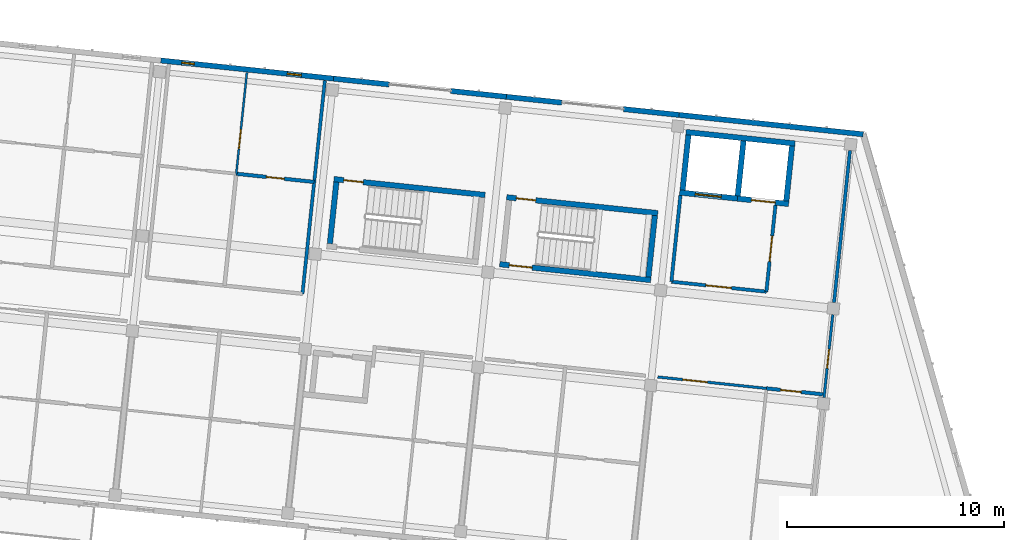
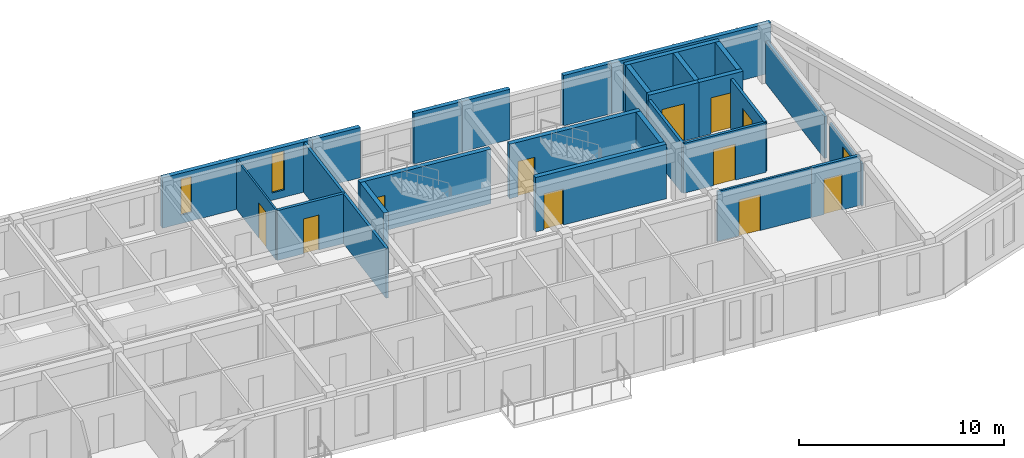
# One storey, part 39 of 68: 27 walls, 12 doors, 2 windows, 14 openings.
"""IFC4 building model written with IfcOpenShell, lengths in metres."""

from ifc_helpers import new_model, si_unit, direction, frame, frame_2d, origin, place, context, subcontext, project, spatial, rectangle, extrude, material, layer, layer_set, type_object, element, fill, save


model = new_model("IFC4")

# Units and contexts
model_context = context("Model", 3, precision=1e-05, world=origin(), true_north=direction((0.0, 1.0)))
body_context = subcontext(model_context, "Body", "Model", "MODEL_VIEW")
ifc_project = project(units=[si_unit("LENGTHUNIT", "METRE"), si_unit("AREAUNIT", "SQUARE_METRE"), si_unit("VOLUMEUNIT", "CUBIC_METRE"), si_unit("PLANEANGLEUNIT", "RADIAN"), si_unit("MASSUNIT", "GRAM", prefix="KILO")], contexts=[model_context])

# Site, building, storey
site_placement = place(None, origin())
site = spatial("IfcSite", under=ifc_project, at=site_placement, CompositionType="ELEMENT")
building_placement = place(site_placement, origin())
building = spatial("IfcBuilding", under=site, at=building_placement, Name="Kestramere Prow Commons", CompositionType="ELEMENT")
storey_placement = place(building_placement, frame((0.0, 0.0, 18.14990234375)))
storey = spatial("IfcBuildingStorey", under=building, at=storey_placement, Name="L05", CompositionType="ELEMENT", Elevation=18.14990234375)

# Wall, openings, windows
ifc_material_1 = material(Name="Fluoropolymer Standing-Seam Zinc-Aluminium Cladding", Category="aluminium")
ifc_layer_1 = layer(ifc_material_1, 0.239990234375)
ifc_layer_set_1 = layer_set([ifc_layer_1], Name="Fluoropolymer Standing-Seam Zinc-Aluminium Cladding")
wall_type_1 = type_object("IfcWallType", Name="EW-SEAM-240", PredefinedType="SOLIDWALL", material=ifc_layer_set_1)
wall_1_placement = place(storey_placement, frame((128.015869140625, 113.142333984375, 0.0), z_axis=(0.0, 0.0, 1.0), x_axis=(0.994522662826, -0.104521161134, 0.0)))
wall_1 = element("IfcWall", 1, at=wall_1_placement, inside=storey, type_object=wall_type_1, Name="Block B L05 North Standing-Seam Wall 3", PredefinedType="SOLIDWALL", context=body_context, shape_type="SweptSolid", body=[
    extrude(rectangle(XDim=8.0, YDim=0.239990234375, at=frame_2d((4.0, 0.0))), origin(), (0.0, 0.0, 1.0), 3.0),
])
opening_1_placement = place(wall_1_placement, frame((0.971923828125, 0.0, 0.5)))
opening_1 = element("IfcOpeningElement", 2, at=opening_1_placement, cuts=wall_1, Name="Opening WN-01", PredefinedType="OPENING", context=body_context, shape_type="SweptSolid", body=[
    extrude(rectangle(XDim=0.580078125, YDim=2.159912109375, at=frame_2d((0.2900390625, 1.080078125))), frame((0.0, 0.135009765625, 0.0), z_axis=(0.0, -1.0, 0.0), x_axis=(1.0, 0.0, 0.0)), (0.0, 0.0, 1.0), 0.27001953125),
])
opening_2_placement = place(wall_1_placement, frame((5.85009765625, 0.0, 0.43994140625)))
opening_2 = element("IfcOpeningElement", 3, at=opening_2_placement, cuts=wall_1, Name="Opening WN-05", PredefinedType="OPENING", context=body_context, shape_type="SweptSolid", body=[
    extrude(rectangle(XDim=0.659912109375, YDim=2.320068359375, at=frame_2d((0.330078125, 1.16015625))), frame((0.0, 0.135009765625, 0.0), z_axis=(0.0, -1.0, 0.0), x_axis=(1.0, 0.0, 0.0)), (0.0, 0.0, 1.0), 0.27001953125),
])
ifc_material_2 = material(Name="Low-E Laminated Double Glazing", Category="glass")
window_type_1 = type_object("IfcWindowType", Name="WN-NAR-580A", PartitioningType="SINGLE_PANEL", PredefinedType="WINDOW", material=ifc_material_2)
window_1_placement = place(opening_1_placement, origin())
window_1 = element("IfcWindow", 4, at=window_1_placement, inside=storey, type_object=window_type_1, Name="WN-B-L05-N-2-0", OverallHeight=2.159912109375, OverallWidth=0.580078125, PartitioningType="SINGLE_PANEL", PredefinedType="WINDOW", context=body_context, shape_type="SweptSolid", body=[
    extrude(rectangle(XDim=0.580078125, YDim=2.159912109375, at=frame_2d((0.2900390625, 1.080078125))), frame((0.0, 0.030029296875, 0.0), z_axis=(0.0, -1.0, 0.0), x_axis=(1.0, 0.0, 0.0)), (0.0, 0.0, 1.0), 0.06005859375),
])
fill(opening_1, window_1)
window_type_2 = type_object("IfcWindowType", Name="WN-NAR-660A", PartitioningType="SINGLE_PANEL", PredefinedType="WINDOW", material=ifc_material_2)
window_2_placement = place(opening_2_placement, origin())
window_2 = element("IfcWindow", 5, at=window_2_placement, inside=storey, type_object=window_type_2, Name="WN-B-L05-N-2-1", OverallHeight=2.320068359375, OverallWidth=0.659912109375, PartitioningType="SINGLE_PANEL", PredefinedType="WINDOW", context=body_context, shape_type="SweptSolid", body=[
    extrude(rectangle(XDim=0.659912109375, YDim=2.320068359375, at=frame_2d((0.330078125, 1.16015625))), frame((0.0, 0.030029296875, 0.0), z_axis=(0.0, -1.0, 0.0), x_axis=(1.0, 0.0, 0.0)), (0.0, 0.0, 1.0), 0.06005859375),
])
fill(opening_2, window_2)

# Walls
for number, where, z_axis, x_axis, name in (
    (6, (135.97216796875, 112.30615234375, 0.0), (0.0, 0.0, 1.0), (0.99451635776, -0.104581136677, 0.0), "Block B L05 North Standing-Seam Pier 4L"),
    (7, (141.367431640625, 111.739013671875, 0.0), (0.0, 0.0, 1.0), (0.99451635776, -0.104581136677, 0.0), "Block B L05 North Standing-Seam Pier 4R"),
):
    element("IfcWall", number, at=place(storey_placement, frame(where, z_axis=z_axis, x_axis=x_axis)), inside=storey, type_object=wall_type_1, Name=name, PredefinedType="SOLIDWALL", context=body_context, shape_type="SweptSolid", body=[
        extrude(rectangle(XDim=2.574951171875, YDim=0.239990234375, at=frame_2d((1.28759765625, 0.0))), origin(), (0.0, 0.0, 1.0), 3.0),
    ])
wall_2_placement = place(storey_placement, frame((143.92822265625, 111.4697265625, 0.0), z_axis=(0.0, 0.0, 1.0), x_axis=(0.994527249958, -0.104477505191, 0.0)))
element("IfcWall", 8, at=wall_2_placement, inside=storey, type_object=wall_type_1, Name="Block B L05 North Standing-Seam Pier 5L", PredefinedType="SOLIDWALL", context=body_context, shape_type="SweptSolid", body=[
    extrude(rectangle(XDim=2.5751953125, YDim=0.239990234375, at=frame_2d((1.28759765625, 0.0))), origin(), (0.0, 0.0, 1.0), 3.0),
])
wall_3_placement = place(storey_placement, frame((149.32373046875, 110.90283203125, 0.0), z_axis=(0.0, 0.0, 1.0), x_axis=(0.99451635776, -0.104581136677, 0.0)))
element("IfcWall", 9, at=wall_3_placement, inside=storey, type_object=wall_type_1, Name="Block B L05 North Standing-Seam Pier 5R", PredefinedType="SOLIDWALL", context=body_context, shape_type="SweptSolid", body=[
    extrude(rectangle(XDim=2.574951171875, YDim=0.239990234375, at=frame_2d((1.28759765625, 0.0))), origin(), (0.0, 0.0, 1.0), 3.0),
])
wall_4_placement = place(storey_placement, frame((151.884521484375, 110.633544921875, 0.0), z_axis=(0.0, 0.0, 1.0), x_axis=(0.994521760736, -0.104529744196, 0.0)))
element("IfcWall", 10, at=wall_4_placement, inside=storey, type_object=wall_type_1, Name="Block B L05 North Standing-Seam Wall 6", PredefinedType="SOLIDWALL", context=body_context, shape_type="SweptSolid", body=[
    extrude(rectangle(XDim=8.52490234375, YDim=0.239990234375, at=frame_2d((4.262451171875, 0.0))), origin(), (0.0, 0.0, 1.0), 3.0),
])
ifc_material_3 = material(Name="Concrete C40/50", Category="concrete")
ifc_layer_2 = layer(ifc_material_3, 0.25)
ifc_layer_set_2 = layer_set([ifc_layer_2], Name="Concrete C40/50")
wall_type_2 = type_object("IfcWallType", Name="W-CORE-250", PredefinedType="SHEAR", material=ifc_layer_set_2)
wall_5_placement = place(storey_placement, frame((152.203857421875, 109.845947265625, 0.0), z_axis=(0.0, 0.0, 1.0), x_axis=(0.994522922189, -0.104518693261, 0.0)))
element("IfcWall", 11, at=wall_5_placement, inside=storey, type_object=wall_type_2, Name="Block B L05 Lift Core Back Wall", PredefinedType="SHEAR", context=body_context, shape_type="SweptSolid", body=[
    extrude(rectangle(XDim=5.050048828125, YDim=0.25, at=frame_2d((2.52490234375, 0.0))), origin(), (0.0, 0.0, 1.0), 3.25),
])

# Wall, opening, door
wall_6_placement = place(storey_placement, frame((151.9111328125, 107.061279296875, 0.0), z_axis=(0.0, 0.0, 1.0), x_axis=(0.994524939068, -0.104499500343, 0.0)))
wall_6 = element("IfcWall", 12, at=wall_6_placement, inside=storey, type_object=wall_type_2, Name="Block B L05 Fire Lift Shaft Front Wall", PredefinedType="SHEAR", context=body_context, shape_type="SweptSolid", body=[
    extrude(rectangle(XDim=2.675048828125, YDim=0.25, at=frame_2d((1.33740234375, 0.0))), origin(), (0.0, 0.0, 1.0), 3.25),
])
opening_3_placement = place(wall_6_placement, frame((0.719970703125, 0.0, 0.0)))
opening_3 = element("IfcOpeningElement", 13, at=opening_3_placement, cuts=wall_6, Name="Opening LD-02", PredefinedType="OPENING", context=body_context, shape_type="SweptSolid", body=[
    extrude(rectangle(XDim=1.199951171875, YDim=2.199951171875, at=frame_2d((0.60009765625, 1.10009765625))), frame((0.0, 0.139892578125, 0.0), z_axis=(0.0, -1.0, 0.0), x_axis=(1.0, 0.0, 0.0)), (0.0, 0.0, 1.0), 0.280029296875),
])
ifc_material_4 = material(Name="Brushed Stainless Steel 316", Category="steel")
door_type_1 = type_object("IfcDoorType", Name="LD-02", OperationType="DOUBLE_DOOR_SLIDING", PredefinedType="DOOR", material=ifc_material_4)
door_1_placement = place(opening_3_placement, origin())
door_1 = element("IfcDoor", 14, at=door_1_placement, inside=storey, type_object=door_type_1, Name="FL-B1 L05 Lift Landing Door", OperationType="DOUBLE_DOOR_SLIDING", OverallHeight=2.199951171875, OverallWidth=1.199951171875, PredefinedType="DOOR", context=body_context, shape_type="SweptSolid", body=[
    extrude(rectangle(XDim=1.199951171875, YDim=2.199951171875, at=frame_2d((0.60009765625, 1.10009765625))), frame((0.0, 0.02490234375, 0.0), z_axis=(0.0, -1.0, 0.0), x_axis=(1.0, 0.0, 0.0)), (0.0, 0.0, 1.0), 0.050048828125),
])
fill(opening_3, door_1)

wall_7_placement = place(storey_placement, frame((154.571533203125, 106.78173828125, 0.0), z_axis=(0.0, 0.0, 1.0), x_axis=(0.994520650134, -0.1045403102, 0.0)))
wall_7 = element("IfcWall", 15, at=wall_7_placement, inside=storey, type_object=wall_type_2, Name="Block B L05 Passenger Lift Shaft Front Wall", PredefinedType="SHEAR", context=body_context, shape_type="SweptSolid", body=[
    extrude(rectangle(XDim=2.375, YDim=0.25, at=frame_2d((1.1875, 0.0))), origin(), (0.0, 0.0, 1.0), 3.25),
])
opening_4_placement = place(wall_7_placement, frame((0.64990234375, 0.0, 0.0)))
opening_4 = element("IfcOpeningElement", 16, at=opening_4_placement, cuts=wall_7, Name="Opening LD-01", PredefinedType="OPENING", context=body_context, shape_type="SweptSolid", body=[
    extrude(rectangle(XDim=1.10009765625, YDim=2.14990234375, at=frame_2d((0.550048828125, 1.074951171875))), frame((0.0, 0.139892578125, 0.0), z_axis=(0.0, -1.0, 0.0), x_axis=(1.0, 0.0, 0.0)), (0.0, 0.0, 1.0), 0.280029296875),
])
ifc_material_5 = material(Name="Brushed Stainless Steel 304", Category="steel")
door_type_2 = type_object("IfcDoorType", Name="LD-01", OperationType="DOUBLE_DOOR_SLIDING", PredefinedType="DOOR", material=ifc_material_5)
door_2_placement = place(opening_4_placement, origin())
door_2 = element("IfcDoor", 17, at=door_2_placement, inside=storey, type_object=door_type_2, Name="PL-B2 L05 Lift Landing Door", OperationType="DOUBLE_DOOR_SLIDING", OverallHeight=2.14990234375, OverallWidth=1.10009765625, PredefinedType="DOOR", context=body_context, shape_type="SweptSolid", body=[
    extrude(rectangle(XDim=1.10009765625, YDim=2.14990234375, at=frame_2d((0.550048828125, 1.074951171875))), frame((0.0, 0.02490234375, 0.0), z_axis=(0.0, -1.0, 0.0), x_axis=(1.0, 0.0, 0.0)), (0.0, 0.0, 1.0), 0.050048828125),
])
fill(opening_4, door_2)

# Walls
for number, where, z_axis, x_axis, name in (
    (18, (152.048583984375, 107.172607421875, 0.0), (0.0, 0.0, 1.0), (0.104555197931, 0.994519085079, 0.0), "Block B L05 Lift Core Side Wall L"),
    (19, (154.584716796875, 106.906005859375, 0.0), (0.0, 0.0, 1.0), (0.104555197931, 0.994519085079, 0.0), "Block B L05 Lift Core Side Wall M"),
):
    element("IfcWall", number, at=place(storey_placement, frame(where, z_axis=z_axis, x_axis=x_axis)), inside=storey, type_object=wall_type_2, Name=name, PredefinedType="SHEAR", context=body_context, shape_type="SweptSolid", body=[
        extrude(rectangle(XDim=2.5498046875, YDim=0.25, at=frame_2d((1.27490234375, 0.0))), origin(), (0.0, 0.0, 1.0), 3.25),
    ])
wall_8_placement = place(storey_placement, frame((156.822265625, 106.670654296875, 0.0), z_axis=(0.0, 0.0, 1.0), x_axis=(0.104545242946, 0.99452013161, 0.0)))
element("IfcWall", 20, at=wall_8_placement, inside=storey, type_object=wall_type_2, Name="Block B L05 Lift Core Side Wall R", PredefinedType="SHEAR", context=body_context, shape_type="SweptSolid", body=[
    extrude(rectangle(XDim=2.550048828125, YDim=0.25, at=frame_2d((1.27490234375, 0.0))), origin(), (0.0, 0.0, 1.0), 3.25),
])

# Wall, opening, door
wall_9_placement = place(storey_placement, frame((135.988525390625, 107.678955078125, 0.0), z_axis=(0.0, 0.0, 1.0), x_axis=(0.994522066748, -0.104526832686, 0.0)))
wall_9 = element("IfcWall", 21, at=wall_9_placement, inside=storey, type_object=wall_type_2, Name="ST-B1 L05 North Shaft Wall", PredefinedType="SHEAR", context=body_context, shape_type="SweptSolid", body=[
    extrude(rectangle(XDim=7.0, YDim=0.25, at=frame_2d((3.5, 0.0))), origin(), (0.0, 0.0, 1.0), 3.25),
])
opening_5_placement = place(wall_9_placement, frame((0.449951171875, 0.0, 0.0)))
opening_5 = element("IfcOpeningElement", 22, at=opening_5_placement, cuts=wall_9, Name="Opening ID-08", PredefinedType="OPENING", context=body_context, shape_type="SweptSolid", body=[
    extrude(rectangle(XDim=0.89990234375, YDim=2.10009765625, at=frame_2d((0.449951171875, 1.050048828125))), frame((0.0, 0.139892578125, 0.0), z_axis=(0.0, -1.0, 0.0), x_axis=(1.0, 0.0, 0.0)), (0.0, 0.0, 1.0), 0.280029296875),
])
ifc_material_6 = material(Name="Engineered Timber Flush Door", Category="wood")
door_type_3 = type_object("IfcDoorType", Name="D-RM-01", OperationType="NOTDEFINED", PredefinedType="DOOR", material=ifc_material_6)
door_3_placement = place(opening_5_placement, origin())
door_3 = element("IfcDoor", 23, at=door_3_placement, inside=storey, type_object=door_type_3, Name="ST-B1 L05 North Room Door", OperationType="SINGLE_SWING_RIGHT", OverallHeight=2.10009765625, OverallWidth=0.89990234375, PredefinedType="DOOR", context=body_context, shape_type="SweptSolid", body=[
    extrude(rectangle(XDim=0.89990234375, YDim=2.10009765625, at=frame_2d((0.449951171875, 1.050048828125))), frame((0.0, 0.02490234375, 0.0), z_axis=(0.0, -1.0, 0.0), x_axis=(1.0, 0.0, 0.0)), (0.0, 0.0, 1.0), 0.050048828125),
])
fill(opening_5, door_3)

# Wall
wall_10_placement = place(storey_placement, frame((135.802001953125, 104.707275390625, 0.0), z_axis=(0.0, 0.0, 1.0), x_axis=(0.104515324063, 0.994523276267, 0.0)))
element("IfcWall", 24, at=wall_10_placement, inside=storey, type_object=wall_type_2, Name="ST-B1 L05 Near Shaft Wall", PredefinedType="SHEAR", context=body_context, shape_type="SweptSolid", body=[
    extrude(rectangle(XDim=2.849853515625, YDim=0.25, at=frame_2d((1.4248046875, 0.0))), origin(), (0.0, 0.0, 1.0), 3.25),
])

# Wall, opening, door
wall_11_placement = place(storey_placement, frame((143.94482421875, 106.8427734375, 0.0), z_axis=(0.0, 0.0, 1.0), x_axis=(0.994522066748, -0.104526832686, 0.0)))
wall_11 = element("IfcWall", 25, at=wall_11_placement, inside=storey, type_object=wall_type_2, Name="ST-B2 L05 North Shaft Wall", PredefinedType="SHEAR", context=body_context, shape_type="SweptSolid", body=[
    extrude(rectangle(XDim=7.0, YDim=0.25, at=frame_2d((3.5, 0.0))), origin(), (0.0, 0.0, 1.0), 3.25),
])
opening_6_placement = place(wall_11_placement, frame((0.449951171875, 0.0, 0.0)))
opening_6 = element("IfcOpeningElement", 26, at=opening_6_placement, cuts=wall_11, Name="Opening ID-08", PredefinedType="OPENING", context=body_context, shape_type="SweptSolid", body=[
    extrude(rectangle(XDim=0.89990234375, YDim=2.10009765625, at=frame_2d((0.449951171875, 1.050048828125))), frame((0.0, 0.139892578125, 0.0), z_axis=(0.0, -1.0, 0.0), x_axis=(1.0, 0.0, 0.0)), (0.0, 0.0, 1.0), 0.280029296875),
])
door_4_placement = place(opening_6_placement, origin())
door_4 = element("IfcDoor", 27, at=door_4_placement, inside=storey, type_object=door_type_3, Name="ST-B2 L05 North Room Door", OperationType="SINGLE_SWING_RIGHT", OverallHeight=2.10009765625, OverallWidth=0.89990234375, PredefinedType="DOOR", context=body_context, shape_type="SweptSolid", body=[
    extrude(rectangle(XDim=0.89990234375, YDim=2.10009765625, at=frame_2d((0.449951171875, 1.050048828125))), frame((0.0, 0.02490234375, 0.0), z_axis=(0.0, -1.0, 0.0), x_axis=(1.0, 0.0, 0.0)), (0.0, 0.0, 1.0), 0.050048828125),
])
fill(opening_6, door_4)

wall_12_placement = place(storey_placement, frame((143.62060546875, 103.759765625, 0.0), z_axis=(0.0, 0.0, 1.0), x_axis=(0.994522066748, -0.104526832686, 0.0)))
wall_12 = element("IfcWall", 28, at=wall_12_placement, inside=storey, type_object=wall_type_2, Name="ST-B2 L05 Corridor Shaft Wall", PredefinedType="SHEAR", context=body_context, shape_type="SweptSolid", body=[
    extrude(rectangle(XDim=7.0, YDim=0.25, at=frame_2d((3.5, 0.0))), origin(), (0.0, 0.0, 1.0), 3.25),
])
opening_7_placement = place(wall_12_placement, frame((0.449951171875, 0.0, 0.0)))
opening_7 = element("IfcOpeningElement", 29, at=opening_7_placement, cuts=wall_12, Name="Opening ID-01", PredefinedType="OPENING", context=body_context, shape_type="SweptSolid", body=[
    extrude(rectangle(XDim=1.050048828125, YDim=2.14990234375, at=frame_2d((0.52490234375, 1.074951171875))), frame((0.0, 0.139892578125, 0.0), z_axis=(0.0, -1.0, 0.0), x_axis=(1.0, 0.0, 0.0)), (0.0, 0.0, 1.0), 0.280029296875),
])
ifc_material_7 = material(Name="Fire-Rated Timber and Steel Frame", Category="steel")
door_type_4 = type_object("IfcDoorType", Name="FD-ST-01", OperationType="NOTDEFINED", PredefinedType="DOOR", material=ifc_material_7)
door_5_placement = place(opening_7_placement, origin())
door_5 = element("IfcDoor", 30, at=door_5_placement, inside=storey, type_object=door_type_4, Name="ST-B2 L05 Protected Stair Door", OperationType="SINGLE_SWING_RIGHT", OverallHeight=2.14990234375, OverallWidth=1.050048828125, PredefinedType="DOOR", context=body_context, shape_type="SweptSolid", body=[
    extrude(rectangle(XDim=1.050048828125, YDim=2.14990234375, at=frame_2d((0.52490234375, 1.074951171875))), frame((0.0, 0.02490234375, 0.0), z_axis=(0.0, -1.0, 0.0), x_axis=(1.0, 0.0, 0.0)), (0.0, 0.0, 1.0), 0.050048828125),
])
fill(opening_7, door_5)

# Wall
wall_13_placement = place(storey_placement, frame((150.47119140625, 103.16552734375, 0.0), z_axis=(0.0, 0.0, 1.0), x_axis=(0.104515324063, 0.994523276267, 0.0)))
element("IfcWall", 31, at=wall_13_placement, inside=storey, type_object=wall_type_2, Name="ST-B2 L05 Far Shaft Wall", PredefinedType="SHEAR", context=body_context, shape_type="SweptSolid", body=[
    extrude(rectangle(XDim=2.849853515625, YDim=0.25, at=frame_2d((1.4248046875, 0.0))), origin(), (0.0, 0.0, 1.0), 3.25),
])

# Wall, opening, door
ifc_material_8 = material(Name="Fire-Rated Calcium Silicate Wall")
ifc_layer_3 = layer(ifc_material_8, 0.155029296875)
ifc_layer_set_3 = layer_set([ifc_layer_3], Name="Fire-Rated Calcium Silicate Wall")
wall_type_3 = type_object("IfcWallType", Name="W-FIRE-150", PredefinedType="PARTITIONING", material=ifc_layer_set_3)
wall_14_placement = place(storey_placement, frame((151.52978515625, 102.95361328125, 0.0), z_axis=(0.0, 0.0, 1.0), x_axis=(0.994521251134, -0.104534592565, 0.0)))
wall_14 = element("IfcWall", 32, at=wall_14_placement, inside=storey, type_object=wall_type_3, Name="Interior Partition PW-B-L05-FFL-S", PredefinedType="PARTITIONING", context=body_context, shape_type="SweptSolid", body=[
    extrude(rectangle(XDim=4.400146484375, YDim=0.155029296875, at=frame_2d((2.2001953125, 0.0))), origin(), (0.0, 0.0, 1.0), 2.97021484375),
])
opening_8_placement = place(wall_14_placement, frame((1.60009765625, 0.0, 0.0)))
opening_8 = element("IfcOpeningElement", 33, at=opening_8_placement, cuts=wall_14, Name="Opening ID-03", PredefinedType="OPENING", context=body_context, shape_type="SweptSolid", body=[
    extrude(rectangle(XDim=1.179931640625, YDim=2.14990234375, at=frame_2d((0.58984375, 1.074951171875))), frame((0.0, 0.092529296875, 0.0), z_axis=(0.0, -1.0, 0.0), x_axis=(1.0, 0.0, 0.0)), (0.0, 0.0, 1.0), 0.18505859375),
])
ifc_material_9 = material(Name="Fire-Rated Glazed Smoke-Stop Door")
door_type_5 = type_object("IfcDoorType", Name="FD-LB-01", OperationType="NOTDEFINED", PredefinedType="DOOR", material=ifc_material_9)
door_6_placement = place(opening_8_placement, origin())
door_6 = element("IfcDoor", 34, at=door_6_placement, inside=storey, type_object=door_type_5, Name="Interior Door DR-B-L05-FFL", OperationType="SINGLE_SWING_RIGHT", OverallHeight=2.14990234375, OverallWidth=1.179931640625, PredefinedType="DOOR", context=body_context, shape_type="SweptSolid", body=[
    extrude(rectangle(XDim=1.179931640625, YDim=2.14990234375, at=frame_2d((0.58984375, 1.074951171875))), frame((0.0, 0.02490234375, 0.0), z_axis=(0.0, -1.0, 0.0), x_axis=(1.0, 0.0, 0.0)), (0.0, 0.0, 1.0), 0.050048828125),
])
fill(opening_8, door_6)

# Wall
wall_15_placement = place(storey_placement, frame((151.52978515625, 102.95361328125, 0.0), z_axis=(0.0, 0.0, 1.0), x_axis=(0.104554517933, 0.994519156568, 0.0)))
element("IfcWall", 35, at=wall_15_placement, inside=storey, type_object=wall_type_3, Name="Interior Partition PW-B-L05-FFL-W", PredefinedType="PARTITIONING", context=body_context, shape_type="SweptSolid", body=[
    extrude(rectangle(XDim=4.0, YDim=0.155029296875, at=frame_2d((2.0, 0.0))), origin(), (0.0, 0.0, 1.0), 2.97021484375),
])

# Wall, opening, door
wall_16_placement = place(storey_placement, frame((155.90576171875, 102.49365234375, 0.0), z_axis=(0.0, 0.0, 1.0), x_axis=(0.104494148666, 0.99452550138, 0.0)))
wall_16 = element("IfcWall", 36, at=wall_16_placement, inside=storey, type_object=wall_type_3, Name="Interior Partition PW-B-L05-FFL-E", PredefinedType="PARTITIONING", context=body_context, shape_type="SweptSolid", body=[
    extrude(rectangle(XDim=4.0, YDim=0.155029296875, at=frame_2d((2.0, 0.0))), origin(), (0.0, 0.0, 1.0), 2.97021484375),
])
opening_9_placement = place(wall_16_placement, frame((1.39990234375, 0.0, 0.0)))
opening_9 = element("IfcOpeningElement", 37, at=opening_9_placement, cuts=wall_16, Name="Opening ID-03", PredefinedType="OPENING", context=body_context, shape_type="SweptSolid", body=[
    extrude(rectangle(XDim=1.179931640625, YDim=2.14990234375, at=frame_2d((0.58984375, 1.074951171875))), frame((0.0, 0.092529296875, 0.0), z_axis=(0.0, -1.0, 0.0), x_axis=(1.0, 0.0, 0.0)), (0.0, 0.0, 1.0), 0.18505859375),
])
door_7_placement = place(opening_9_placement, origin())
door_7 = element("IfcDoor", 38, at=door_7_placement, inside=storey, type_object=door_type_5, Name="Interior Door DR-B-L05-FFL-PL", OperationType="SINGLE_SWING_LEFT", OverallHeight=2.14990234375, OverallWidth=1.179931640625, PredefinedType="DOOR", context=body_context, shape_type="SweptSolid", body=[
    extrude(rectangle(XDim=1.179931640625, YDim=2.14990234375, at=frame_2d((0.58984375, 1.074951171875))), frame((0.0, 0.02490234375, 0.0), z_axis=(0.0, -1.0, 0.0), x_axis=(1.0, 0.0, 0.0)), (0.0, 0.0, 1.0), 0.050048828125),
])
fill(opening_9, door_7)

ifc_material_10 = material(Name="Lightweight Blockwork and Plaster", Category="masonry")
ifc_layer_4 = layer(ifc_material_10, 0.1201171875)
ifc_layer_set_4 = layer_set([ifc_layer_4], Name="Lightweight Blockwork and Plaster")
wall_type_4 = type_object("IfcWallType", Name="W-PART-120", PredefinedType="PARTITIONING", material=ifc_layer_set_4)
wall_17_placement = place(storey_placement, frame((158.561279296875, 97.62451171875, 0.0), z_axis=(0.0, 0.0, 1.0), x_axis=(0.104545412893, 0.994520113745, 0.0)))
wall_17 = element("IfcWall", 39, at=wall_17_placement, inside=storey, type_object=wall_type_4, Name="Interior Partition PW-B-L05-PROW-ACC", PredefinedType="PARTITIONING", context=body_context, shape_type="SweptSolid", body=[
    extrude(rectangle(XDim=3.829833984375, YDim=0.1201171875, at=frame_2d((1.9150390625, 0.0))), origin(), (0.0, 0.0, 1.0), 2.5),
])
opening_10_placement = place(wall_17_placement, frame((1.35009765625, 0.0, 0.0)))
opening_10 = element("IfcOpeningElement", 40, at=opening_10_placement, cuts=wall_17, Name="Opening ID-10", PredefinedType="OPENING", context=body_context, shape_type="SweptSolid", body=[
    extrude(rectangle(XDim=0.8798828125, YDim=2.10009765625, at=frame_2d((0.43994140625, 1.050048828125))), frame((0.0, 0.074951171875, 0.0), z_axis=(0.0, -1.0, 0.0), x_axis=(1.0, 0.0, 0.0)), (0.0, 0.0, 1.0), 0.150146484375),
])
ifc_material_11 = material(Name="Engineered Timber Bedroom Door", Category="wood")
door_type_6 = type_object("IfcDoorType", Name="D-RM-03", OperationType="NOTDEFINED", PredefinedType="DOOR", material=ifc_material_11)
door_8_placement = place(opening_10_placement, origin())
door_8 = element("IfcDoor", 41, at=door_8_placement, inside=storey, type_object=door_type_6, Name="Interior Door DR-B-L05-PROW", OperationType="SINGLE_SWING_LEFT", OverallHeight=2.10009765625, OverallWidth=0.8798828125, PredefinedType="DOOR", context=body_context, shape_type="SweptSolid", body=[
    extrude(rectangle(XDim=0.8798828125, YDim=2.10009765625, at=frame_2d((0.43994140625, 1.050048828125))), frame((0.0, 0.02490234375, 0.0), z_axis=(0.0, -1.0, 0.0), x_axis=(1.0, 0.0, 0.0)), (0.0, 0.0, 1.0), 0.050048828125),
])
fill(opening_10, door_8)

wall_18_placement = place(storey_placement, frame((150.902587890625, 98.565185546875, 0.0), z_axis=(0.0, 0.0, 1.0), x_axis=(0.994520851776, -0.104538391908, 0.0)))
wall_18 = element("IfcWall", 42, at=wall_18_placement, inside=storey, type_object=wall_type_4, Name="Interior Partition PW-B-L05-CS-5A", PredefinedType="PARTITIONING", context=body_context, shape_type="SweptSolid", body=[
    extrude(rectangle(XDim=5.03515625, YDim=0.1201171875, at=frame_2d((2.517578125, 0.0))), origin(), (0.0, 0.0, 1.0), 2.97021484375),
])
opening_11_placement = place(wall_18_placement, frame((1.14990234375, 0.0, 0.0)))
opening_11 = element("IfcOpeningElement", 43, at=opening_11_placement, cuts=wall_18, Name="Opening ID-09", PredefinedType="OPENING", context=body_context, shape_type="SweptSolid", body=[
    extrude(rectangle(XDim=1.14990234375, YDim=2.14990234375, at=frame_2d((0.574951171875, 1.074951171875))), frame((0.0, 0.074951171875, 0.0), z_axis=(0.0, -1.0, 0.0), x_axis=(1.0, 0.0, 0.0)), (0.0, 0.0, 1.0), 0.150146484375),
])
ifc_material_12 = material(Name="Engineered Timber Acoustic Door", Category="wood")
door_type_7 = type_object("IfcDoorType", Name="D-RM-02", OperationType="NOTDEFINED", PredefinedType="DOOR", material=ifc_material_12)
door_9_placement = place(opening_11_placement, origin())
door_9 = element("IfcDoor", 44, at=door_9_placement, inside=storey, type_object=door_type_7, Name="Interior Door DR-B-L05-SKY-5", OperationType="SINGLE_SWING_LEFT", OverallHeight=2.14990234375, OverallWidth=1.14990234375, PredefinedType="DOOR", context=body_context, shape_type="SweptSolid", body=[
    extrude(rectangle(XDim=1.14990234375, YDim=2.14990234375, at=frame_2d((0.574951171875, 1.074951171875))), frame((0.0, 0.02490234375, 0.0), z_axis=(0.0, -1.0, 0.0), x_axis=(1.0, 0.0, 0.0)), (0.0, 0.0, 1.0), 0.050048828125),
])
fill(opening_11, door_9)

# Walls
ifc_material_13 = material(Name="Masonry Compartment Wall", Category="masonry")
ifc_layer_5 = layer(ifc_material_13, 0.14990234375)
ifc_layer_set_5 = layer_set([ifc_layer_5], Name="Masonry Compartment Wall")
wall_type_5 = type_object("IfcWallType", Name="W-PART-150", PredefinedType="PARTITIONING", material=ifc_layer_set_5)
wall_19_placement = place(storey_placement, frame((159.021240234375, 102.000244140625, 0.0), z_axis=(0.0, 0.0, 1.0), x_axis=(0.10452931889, 0.994521805438, 0.0)))
element("IfcWall", 45, at=wall_19_placement, inside=storey, type_object=wall_type_5, Name="Interior Partition PW-B-L05-PRW-N", PredefinedType="PARTITIONING", context=body_context, shape_type="SweptSolid", body=[
    extrude(rectangle(XDim=7.0302734375, YDim=0.14990234375, at=frame_2d((3.51513671875, 0.0))), origin(), (0.0, 0.0, 1.0), 2.5),
])
wall_20_placement = place(storey_placement, frame((134.53857421875, 102.396728515625, 0.0), z_axis=(0.0, 0.0, 1.0), x_axis=(0.104508379977, 0.994524006002, 0.0)))
element("IfcWall", 46, at=wall_20_placement, inside=storey, type_object=wall_type_5, Name="Interior Partition PW-B-L05-NWR-2", PredefinedType="PARTITIONING", context=body_context, shape_type="SweptSolid", body=[
    extrude(rectangle(XDim=9.869873046875, YDim=0.14990234375, at=frame_2d((4.93505859375, 0.0))), origin(), (0.0, 0.0, 1.0), 2.97021484375),
])

# Wall, opening, door
ifc_material_14 = material(Name="Gypsum Acoustic Drywall")
ifc_layer_6 = layer(ifc_material_14, 0.094970703125)
ifc_layer_set_6 = layer_set([ifc_layer_6], Name="Gypsum Acoustic Drywall")
wall_type_6 = type_object("IfcWallType", Name="W-PART-95", PredefinedType="PARTITIONING", material=ifc_layer_set_6)
wall_21_placement = place(storey_placement, frame((131.48974609375, 107.925537109375, 0.0), z_axis=(0.0, 0.0, 1.0), x_axis=(0.104527618124, 0.994521984196, 0.0)))
wall_21 = element("IfcWall", 47, at=wall_21_placement, inside=storey, type_object=wall_type_6, Name="Interior Partition PW-B-L05-LB-N2", PredefinedType="PARTITIONING", context=body_context, shape_type="SweptSolid", body=[
    extrude(rectangle(XDim=4.68994140625, YDim=0.094970703125, at=frame_2d((2.344970703125, 0.0))), origin(), (0.0, 0.0, 1.0), 2.97021484375),
])
opening_12_placement = place(wall_21_placement, frame((1.14990234375, 0.0, 0.0)))
opening_12 = element("IfcOpeningElement", 48, at=opening_12_placement, cuts=wall_21, Name="Opening ID-08", PredefinedType="OPENING", context=body_context, shape_type="SweptSolid", body=[
    extrude(rectangle(XDim=0.89990234375, YDim=2.10009765625, at=frame_2d((0.449951171875, 1.050048828125))), frame((0.0, 0.0625, 0.0), z_axis=(0.0, -1.0, 0.0), x_axis=(1.0, 0.0, 0.0)), (0.0, 0.0, 1.0), 0.125),
])
door_10_placement = place(opening_12_placement, origin())
door_10 = element("IfcDoor", 49, at=door_10_placement, inside=storey, type_object=door_type_3, Name="Interior Door DR-B-L05-BED-N2", OperationType="SINGLE_SWING_LEFT", OverallHeight=2.10009765625, OverallWidth=0.89990234375, PredefinedType="DOOR", context=body_context, shape_type="SweptSolid", body=[
    extrude(rectangle(XDim=0.89990234375, YDim=2.10009765625, at=frame_2d((0.449951171875, 1.050048828125))), frame((0.0, 0.02490234375, 0.0), z_axis=(0.0, -1.0, 0.0), x_axis=(1.0, 0.0, 0.0)), (0.0, 0.0, 1.0), 0.050048828125),
])
fill(opening_12, door_10)

ifc_material_15 = material(Name="Waterproof Sanitary Masonry Wall", Category="masonry")
ifc_layer_7 = layer(ifc_material_15, 0.1650390625)
ifc_layer_set_7 = layer_set([ifc_layer_7], Name="Waterproof Sanitary Masonry Wall")
wall_type_7 = type_object("IfcWallType", Name="W-PLUMB-150", PredefinedType="PLUMBINGWALL", material=ifc_layer_set_7)
wall_22_placement = place(storey_placement, frame((155.91015625, 98.038818359375, 0.0), z_axis=(0.0, 0.0, 1.0), x_axis=(0.994526447543, -0.104485143144, 0.0)))
wall_22 = element("IfcWall", 50, at=wall_22_placement, inside=storey, type_object=wall_type_7, Name="Interior Partition PW-B-L05-CS-5B", PredefinedType="PLUMBINGWALL", context=body_context, shape_type="SweptSolid", body=[
    extrude(rectangle(XDim=2.610107421875, YDim=0.1650390625, at=frame_2d((1.30517578125, 0.0))), origin(), (0.0, 0.0, 1.0), 2.97021484375),
])
opening_13_placement = place(wall_22_placement, frame((0.64990234375, 0.0, 0.0)))
opening_13 = element("IfcOpeningElement", 51, at=opening_13_placement, cuts=wall_22, Name="Opening ID-13", PredefinedType="OPENING", context=body_context, shape_type="SweptSolid", body=[
    extrude(rectangle(XDim=0.9599609375, YDim=2.1201171875, at=frame_2d((0.47998046875, 1.06005859375))), frame((0.0, 0.097412109375, 0.0), z_axis=(0.0, -1.0, 0.0), x_axis=(1.0, 0.0, 0.0)), (0.0, 0.0, 1.0), 0.195068359375),
])
ifc_material_16 = material(Name="Accessible Wide-Leaf Timber Door", Category="wood")
door_type_8 = type_object("IfcDoorType", Name="D-ACC-01", OperationType="NOTDEFINED", PredefinedType="DOOR", material=ifc_material_16)
door_11_placement = place(opening_13_placement, origin())
door_11 = element("IfcDoor", 52, at=door_11_placement, inside=storey, type_object=door_type_8, Name="Interior Door DR-B-L05-SKWC-5", OperationType="SINGLE_SWING_RIGHT", OverallHeight=2.1201171875, OverallWidth=0.9599609375, PredefinedType="DOOR", context=body_context, shape_type="SweptSolid", body=[
    extrude(rectangle(XDim=0.9599609375, YDim=2.1201171875, at=frame_2d((0.47998046875, 1.06005859375))), frame((0.0, 0.02490234375, 0.0), z_axis=(0.0, -1.0, 0.0), x_axis=(1.0, 0.0, 0.0)), (0.0, 0.0, 1.0), 0.050048828125),
])
fill(opening_13, door_11)

wall_23_placement = place(storey_placement, frame((131.48974609375, 107.925537109375, 0.0), z_axis=(0.0, 0.0, 1.0), x_axis=(0.994525816262, -0.104491151726, 0.0)))
wall_23 = element("IfcWall", 53, at=wall_23_placement, inside=storey, type_object=wall_type_7, Name="Interior Partition PW-B-L05-MIDN2-2", PredefinedType="PLUMBINGWALL", context=body_context, shape_type="SweptSolid", body=[
    extrude(rectangle(XDim=3.60986328125, YDim=0.1650390625, at=frame_2d((1.804931640625, 0.0))), origin(), (0.0, 0.0, 1.0), 2.97021484375),
])
opening_14_placement = place(wall_23_placement, frame((1.39501953125, 0.0, 0.0)))
opening_14 = element("IfcOpeningElement", 54, at=opening_14_placement, cuts=wall_23, Name="Opening ID-11", PredefinedType="OPENING", context=body_context, shape_type="SweptSolid", body=[
    extrude(rectangle(XDim=0.820068359375, YDim=2.080078125, at=frame_2d((0.41015625, 1.0400390625))), frame((0.0, 0.097412109375, 0.0), z_axis=(0.0, -1.0, 0.0), x_axis=(1.0, 0.0, 0.0)), (0.0, 0.0, 1.0), 0.195068359375),
])
ifc_material_17 = material(Name="Moisture-Resistant Timber Bathroom Door", Category="wood")
door_type_9 = type_object("IfcDoorType", Name="D-BT-01", OperationType="NOTDEFINED", PredefinedType="DOOR", material=ifc_material_17)
door_12_placement = place(opening_14_placement, origin())
door_12 = element("IfcDoor", 55, at=door_12_placement, inside=storey, type_object=door_type_9, Name="Interior Door DR-B-L05-BTH-N2", OperationType="SINGLE_SWING_RIGHT", OverallHeight=2.080078125, OverallWidth=0.820068359375, PredefinedType="DOOR", context=body_context, shape_type="SweptSolid", body=[
    extrude(rectangle(XDim=0.820068359375, YDim=2.080078125, at=frame_2d((0.41015625, 1.0400390625))), frame((0.0, 0.02490234375, 0.0), z_axis=(0.0, -1.0, 0.0), x_axis=(1.0, 0.0, 0.0)), (0.0, 0.0, 1.0), 0.050048828125),
])
fill(opening_14, door_12)

save(model, "model.ifc")
